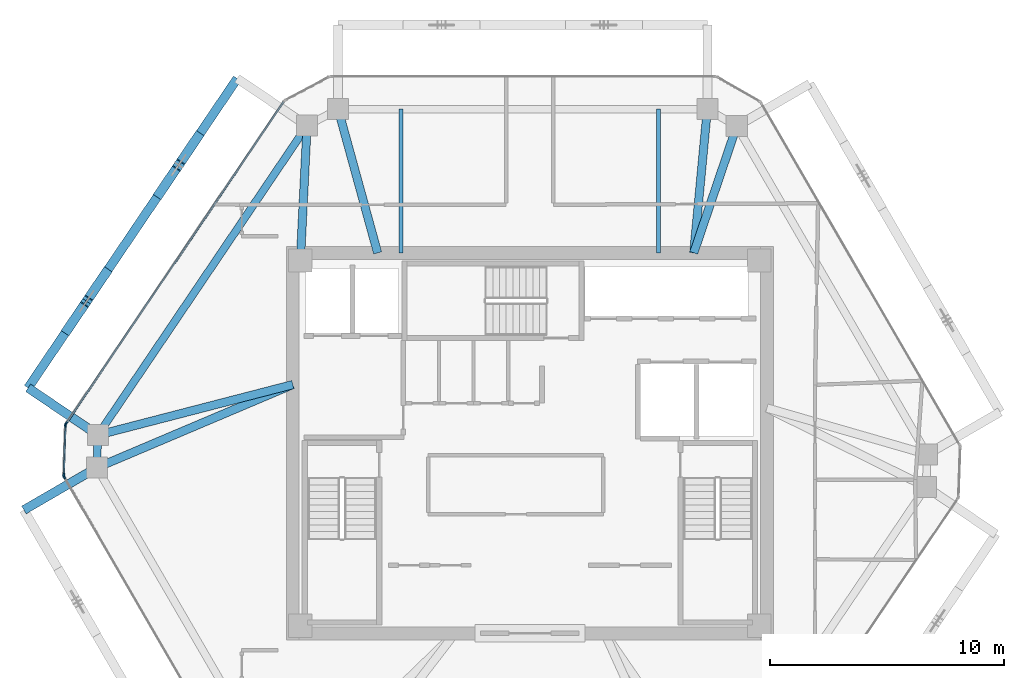
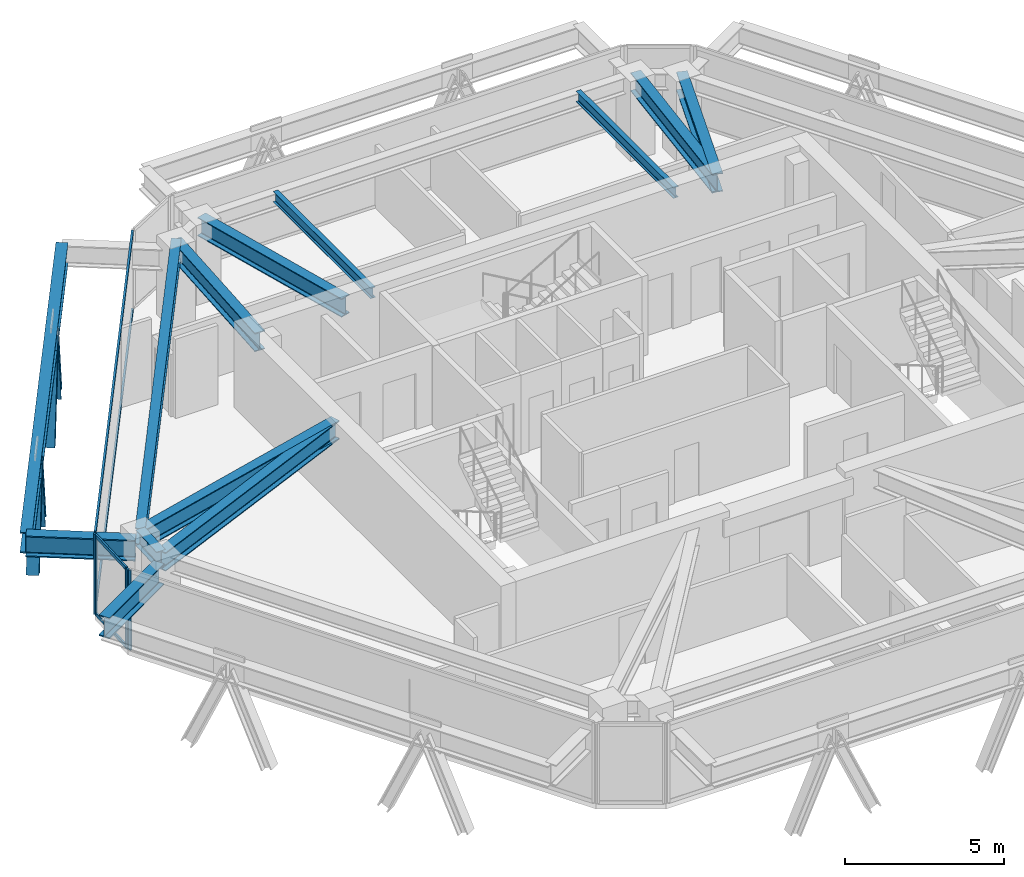
# One storey, part 4 of 12: 13 beams, 12 members, 3 elements without a shape of their own.
"""IFC4 building model written with IfcOpenShell, lengths in metres."""

from ifc_helpers import new_model, si_unit, direction, frame, origin, origin_2d, place, context, subcontext, project, spatial, rectangle, i_section, extrude, source, transform, mapped, material, layer, layer_set, material_profile, profile_set, type_object, type_shapes, element, aggregate, save


model = new_model("IFC4")

# Units and contexts
model_context = context("Model", 3, precision=1e-05, world=origin(), true_north=direction((0.0, 1.0)))
body_context = subcontext(model_context, "Body", "Model", "MODEL_VIEW")
ifc_project = project(units=[si_unit("LENGTHUNIT", "METRE"), si_unit("AREAUNIT", "SQUARE_METRE"), si_unit("VOLUMEUNIT", "CUBIC_METRE"), si_unit("PLANEANGLEUNIT", "RADIAN"), si_unit("MASSUNIT", "GRAM", prefix="KILO")], contexts=[model_context])

# Site, building, storey
site_placement = place(None, origin())
site = spatial("IfcSite", under=ifc_project, at=site_placement, CompositionType="ELEMENT")
building_placement = place(site_placement, origin())
building = spatial("IfcBuilding", under=site, at=building_placement, Name="Durnholm Broadcast Tower", CompositionType="ELEMENT")
storey_placement = place(building_placement, frame((0.0, 0.0, 221.60009765625)))
storey = spatial("IfcBuildingStorey", under=building, at=storey_placement, Name="L61", CompositionType="ELEMENT", Elevation=221.60009765625)

# Beams
ifc_material_1 = material(Name="Steel ASTM A992 Grade 50", Category="steel")
ifc_material_profile_1 = material_profile(ifc_material_1, i_section(OverallWidth=0.385009765625, OverallDepth=0.802978515625, WebThickness=0.023681640625, FlangeThickness=0.0419921875, FilletRadius=0.032958984375, at=origin_2d()), Name="W30X261")
ifc_profile_set_1 = profile_set([ifc_material_profile_1], Name="Steel ASTM A992 Grade 50")
beam_type_1 = type_object("IfcBeamType", Name="BM-EXO-TIE", PredefinedType="USERDEFINED", material=ifc_profile_set_1)
shared_shape_1 = source(origin(), body_context, "Body", "SweptSolid", [
    extrude(i_section(OverallWidth=0.385009765625, OverallDepth=0.802978515625, WebThickness=0.023681640625, FlangeThickness=0.0419921875, FilletRadius=0.032958984375, at=origin_2d()), origin(), (0.0, 0.0, 1.0), 3.4560546875),
])
for number, where, z_axis, x_axis, name in (
    (1, (-18.565673828125, 0.426513671875, 2.308349609375), (-0.828413564093, 0.56011692246, 0.0), (-0.56011692246, -0.828413564093, 0.0), "L61 exoskeleton stand-off tie bracket F5.2"),
    (2, (-18.618896484375, -1.1201171875, 2.308349609375), (-0.864876013532, -0.501985538852, 0.0), (0.501985538852, -0.864876013532, 0.0), "L61 exoskeleton stand-off tie bracket F6.1"),
):
    element("IfcBeam", number, at=place(storey_placement, frame(where, z_axis=z_axis, x_axis=x_axis)), inside=storey, type_object=beam_type_1, Name=name, ObjectType="GIRDER", PredefinedType="USERDEFINED", context=body_context, shape_type="MappedRepresentation", body=[
        mapped(shared_shape_1, transform((0.0, 0.0, 0.0), x_axis=(1.0, 0.0, 0.0), y_axis=(0.0, 1.0, 0.0), z_axis=(0.0, 0.0, 1.0), scale=1.0)),
    ])
ifc_material_profile_2 = material_profile(ifc_material_1, i_section(OverallWidth=0.3251953125, OverallDepth=0.6162109375, WebThickness=0.013916015625, FlangeThickness=0.021484375, FilletRadius=0.02783203125, at=origin_2d()), Name="W24X117")
ifc_profile_set_2 = profile_set([ifc_material_profile_2], Name="Steel ASTM A992 Grade 50")
beam_type_2 = type_object("IfcBeamType", Name="STL-SP-W24X117", PredefinedType="SPANDREL", material=ifc_profile_set_2)
shared_shape_2 = source(origin(), body_context, "Body", "SweptSolid", [
    extrude(i_section(OverallWidth=0.3251953125, OverallDepth=0.6162109375, WebThickness=0.013916015625, FlangeThickness=0.021484375, FilletRadius=0.02783203125, at=origin_2d()), origin(), (0.0, 0.0, 1.0), 1.39453125),
])
beam_1_placement = place(storey_placement, frame((-18.494384765625, -1.0478515625, 2.73681640625), z_axis=(0.034486393061, 0.999405167434, 0.0), x_axis=(-0.999405167434, 0.034486393061, 0.0)))
element("IfcBeam", 3, at=beam_1_placement, inside=storey, type_object=beam_type_2, Name="L61 perimeter spandrel girder 02", PredefinedType="SPANDREL", context=body_context, shape_type="MappedRepresentation", body=[
    mapped(shared_shape_2, transform((0.0, 0.0, 0.0), x_axis=(1.0, 0.0, 0.0), y_axis=(0.0, 1.0, 0.0), z_axis=(0.0, 0.0, 1.0), scale=1.0)),
])
shared_shape_3 = source(origin(), body_context, "Body", "SweptSolid", [
    extrude(i_section(OverallWidth=0.3251953125, OverallDepth=0.6162109375, WebThickness=0.013916015625, FlangeThickness=0.021484375, FilletRadius=0.02783203125, at=origin_2d()), origin(), (0.0, 0.0, 1.0), 15.947265625),
])
type_shapes(beam_type_2, [shared_shape_2, shared_shape_3])
beam_2_placement = place(storey_placement, frame((-18.4462890625, 0.345947265625, 2.73681640625), z_axis=(0.560062212489, 0.828450552623, 0.0), x_axis=(-0.828450552623, 0.560062212489, 0.0)))
element("IfcBeam", 4, at=beam_2_placement, inside=storey, type_object=beam_type_2, Name="L61 perimeter spandrel girder 03", PredefinedType="SPANDREL", context=body_context, shape_type="MappedRepresentation", body=[
    mapped(shared_shape_3, transform((0.0, 0.0, 0.0), x_axis=(1.0, 0.0, 0.0), y_axis=(0.0, 1.0, 0.0), z_axis=(0.0, 0.0, 1.0), scale=1.0)),
])
ifc_material_profile_3 = material_profile(ifc_material_1, i_section(OverallWidth=0.3564453125, OverallDepth=0.713623046875, WebThickness=0.01904296875, FlangeThickness=0.033935546875, FilletRadius=0.030517578125, at=origin_2d()), Name="W27X194")
ifc_profile_set_3 = profile_set([ifc_material_profile_3], Name="Steel ASTM A992 Grade 50")
beam_type_3 = type_object("IfcBeamType", Name="STL-GR-W27X194", PredefinedType="USERDEFINED", material=ifc_profile_set_3)
shared_shape_4 = source(origin(), body_context, "Body", "SweptSolid", [
    extrude(i_section(OverallWidth=0.3564453125, OverallDepth=0.713623046875, WebThickness=0.01904296875, FlangeThickness=0.033935546875, FilletRadius=0.030517578125, at=origin_2d()), origin(), (0.0, 0.0, 1.0), 5.764404296875),
])
beam_3_placement = place(storey_placement, frame((-9.800048828125, 7.800048828125, 2.68798828125), z_axis=(0.049468662109, 0.99877567625, 0.0), x_axis=(-0.99877567625, 0.049468662109, 0.0)))
element("IfcBeam", 5, at=beam_3_placement, inside=storey, type_object=beam_type_3, Name="L61 radial primary floor girder 04", ObjectType="GIRDER", PredefinedType="USERDEFINED", context=body_context, shape_type="MappedRepresentation", body=[
    mapped(shared_shape_4, transform((0.0, 0.0, 0.0), x_axis=(1.0, 0.0, 0.0), y_axis=(0.0, 1.0, 0.0), z_axis=(0.0, 0.0, 1.0), scale=1.0)),
])
shared_shape_5 = source(origin(), body_context, "Body", "SweptSolid", [
    extrude(i_section(OverallWidth=0.385009765625, OverallDepth=0.802978515625, WebThickness=0.023681640625, FlangeThickness=0.0419921875, FilletRadius=0.032958984375, at=origin_2d()), origin(), (0.0, 0.0, 1.0), 15.947021484375),
])
type_shapes(beam_type_1, [shared_shape_1, shared_shape_5])
beam_4_placement = place(storey_placement, frame((-12.497314453125, 15.573486328125, 2.308349609375), z_axis=(-0.560069315853, -0.828445750451, 0.0), x_axis=(0.828445750451, -0.560069315853, 0.0)))
element("IfcBeam", 6, at=beam_4_placement, inside=storey, type_object=beam_type_1, Name="L61 exoskeleton collector spandrel F5", PredefinedType="SPANDREL", context=body_context, shape_type="MappedRepresentation", body=[
    mapped(shared_shape_5, transform((0.0, 0.0, 0.0), x_axis=(1.0, 0.0, 0.0), y_axis=(0.0, 1.0, 0.0), z_axis=(0.0, 0.0, 1.0), scale=1.0)),
])
shared_shape_6 = source(origin(), body_context, "Body", "SweptSolid", [
    extrude(i_section(OverallWidth=0.3564453125, OverallDepth=0.713623046875, WebThickness=0.01904296875, FlangeThickness=0.033935546875, FilletRadius=0.030517578125, at=origin_2d()), origin(), (0.0, 0.0, 1.0), 9.09033203125),
])
beam_5_placement = place(storey_placement, frame((-10.125, 2.5, 2.68798828125), z_axis=(-0.920692350722, -0.390289117607, 0.0), x_axis=(0.390289117607, -0.920692350722, 0.0)))
element("IfcBeam", 7, at=beam_5_placement, inside=storey, type_object=beam_type_3, Name="L61 radial primary floor girder 02", ObjectType="GIRDER", PredefinedType="USERDEFINED", context=body_context, shape_type="MappedRepresentation", body=[
    mapped(shared_shape_6, transform((0.0, 0.0, 0.0), x_axis=(1.0, 0.0, 0.0), y_axis=(0.0, 1.0, 0.0), z_axis=(0.0, 0.0, 1.0), scale=1.0)),
])
shared_shape_7 = source(origin(), body_context, "Body", "SweptSolid", [
    extrude(i_section(OverallWidth=0.3564453125, OverallDepth=0.713623046875, WebThickness=0.01904296875, FlangeThickness=0.033935546875, FilletRadius=0.030517578125, at=origin_2d()), origin(), (0.0, 0.0, 1.0), 8.595458984375),
])
beam_6_placement = place(storey_placement, frame((-10.125, 2.5, 2.68798828125), z_axis=(-0.968090619149, -0.250600385306, 0.0), x_axis=(0.250600385306, -0.968090619149, 0.0)))
element("IfcBeam", 8, at=beam_6_placement, inside=storey, type_object=beam_type_3, Name="L61 radial primary floor girder 03", ObjectType="GIRDER", PredefinedType="USERDEFINED", context=body_context, shape_type="MappedRepresentation", body=[
    mapped(shared_shape_7, transform((0.0, 0.0, 0.0), x_axis=(1.0, 0.0, 0.0), y_axis=(0.0, 1.0, 0.0), z_axis=(0.0, 0.0, 1.0), scale=1.0)),
])
shared_shape_8 = source(origin(), body_context, "Body", "SweptSolid", [
    extrude(i_section(OverallWidth=0.3564453125, OverallDepth=0.713623046875, WebThickness=0.01904296875, FlangeThickness=0.033935546875, FilletRadius=0.030517578125, at=origin_2d()), origin(), (0.0, 0.0, 1.0), 6.36474609375),
])
beam_7_placement = place(storey_placement, frame((-6.5, 8.125, 2.68798828125), z_axis=(-0.265168072834, 0.96420220553, 0.0), x_axis=(-0.96420220553, -0.265168072834, 0.0)))
element("IfcBeam", 9, at=beam_7_placement, inside=storey, type_object=beam_type_3, Name="L61 radial primary floor girder 05", ObjectType="GIRDER", PredefinedType="USERDEFINED", context=body_context, shape_type="MappedRepresentation", body=[
    mapped(shared_shape_8, transform((0.0, 0.0, 0.0), x_axis=(1.0, 0.0, 0.0), y_axis=(0.0, 1.0, 0.0), z_axis=(0.0, 0.0, 1.0), scale=1.0)),
])
shared_shape_9 = source(origin(), body_context, "Body", "SweptSolid", [
    extrude(i_section(OverallWidth=0.3564453125, OverallDepth=0.713623046875, WebThickness=0.01904296875, FlangeThickness=0.033935546875, FilletRadius=0.030517578125, at=origin_2d()), origin(), (0.0, 0.0, 1.0), 6.164306640625),
])
beam_8_placement = place(storey_placement, frame((7.0, 8.125, 2.68798828125), z_axis=(0.094024068139, 0.995569924521, 0.0), x_axis=(-0.995569924521, 0.094024068139, 0.0)))
element("IfcBeam", 10, at=beam_8_placement, inside=storey, type_object=beam_type_3, Name="L61 radial primary floor girder 06", ObjectType="GIRDER", PredefinedType="USERDEFINED", context=body_context, shape_type="MappedRepresentation", body=[
    mapped(shared_shape_9, transform((0.0, 0.0, 0.0), x_axis=(1.0, 0.0, 0.0), y_axis=(0.0, 1.0, 0.0), z_axis=(0.0, 0.0, 1.0), scale=1.0)),
])
shared_shape_10 = source(origin(), body_context, "Body", "SweptSolid", [
    extrude(i_section(OverallWidth=0.3564453125, OverallDepth=0.713623046875, WebThickness=0.01904296875, FlangeThickness=0.033935546875, FilletRadius=0.030517578125, at=origin_2d()), origin(), (0.0, 0.0, 1.0), 5.716064453125),
])
type_shapes(beam_type_3, [shared_shape_4, shared_shape_6, shared_shape_7, shared_shape_8, shared_shape_9, shared_shape_10])
beam_9_placement = place(storey_placement, frame((7.0, 8.125, 2.68798828125), z_axis=(0.321450919754, 0.946926241156, 0.0), x_axis=(-0.946926241156, 0.321450919754, 0.0)))
element("IfcBeam", 11, at=beam_9_placement, inside=storey, type_object=beam_type_3, Name="L61 radial primary floor girder 07", ObjectType="GIRDER", PredefinedType="USERDEFINED", context=body_context, shape_type="MappedRepresentation", body=[
    mapped(shared_shape_10, transform((0.0, 0.0, 0.0), x_axis=(1.0, 0.0, 0.0), y_axis=(0.0, 1.0, 0.0), z_axis=(0.0, 0.0, 1.0), scale=1.0)),
])
ifc_material_profile_4 = material_profile(ifc_material_1, i_section(OverallWidth=0.177734375, OverallDepth=0.40673828125, WebThickness=0.0078125, FlangeThickness=0.0126953125, FilletRadius=0.01904296875, at=origin_2d()), Name="W16X40")
ifc_profile_set_4 = profile_set([ifc_material_profile_4], Name="Steel ASTM A992 Grade 50")
beam_type_4 = type_object("IfcBeamType", Name="STL-BJ-W16X40", PredefinedType="JOIST", material=ifc_profile_set_4)
shared_shape_11 = source(origin(), body_context, "Body", "SweptSolid", [
    extrude(i_section(OverallWidth=0.177734375, OverallDepth=0.40673828125, WebThickness=0.0078125, FlangeThickness=0.0126953125, FilletRadius=0.01904296875, at=origin_2d()), origin(), (0.0, 0.0, 1.0), 6.136962890625),
])
type_shapes(beam_type_4, [shared_shape_11])
for number, where, z_axis, x_axis, name in (
    (12, (-5.5, 8.125, 2.841552734375), (0.0, 1.0, 0.0), (-1.0, 0.0, 0.0), "L61 secondary floor joist 3.2"),
    (13, (5.5, 8.125, 2.841552734375), (0.0, 1.0, 0.0), (-1.0, 0.0, 0.0), "L61 secondary floor joist 4.2"),
):
    element("IfcBeam", number, at=place(storey_placement, frame(where, z_axis=z_axis, x_axis=x_axis)), inside=storey, type_object=beam_type_4, Name=name, PredefinedType="JOIST", context=body_context, shape_type="MappedRepresentation", body=[
        mapped(shared_shape_11, transform((0.0, 0.0, 0.0), x_axis=(1.0, 0.0, 0.0), y_axis=(0.0, 1.0, 0.0), z_axis=(0.0, 0.0, 1.0), scale=1.0)),
    ])

# Members
ifc_material_2 = material(Name="Steel ASTM A913 Grade 65", Category="steel")
ifc_material_profile_5 = material_profile(ifc_material_2, i_section(OverallWidth=0.40625, OverallDepth=0.416015625, WebThickness=0.02978515625, FlangeThickness=0.048095703125, FilletRadius=0.030517578125, at=origin_2d()), Name="W14X257")
ifc_profile_set_5 = profile_set([ifc_material_profile_5], Name="Steel ASTM A913 Grade 65")
member_type_1 = type_object("IfcMemberType", Name="STL-DG-W14X257", PredefinedType="BRACE", material=ifc_profile_set_5)
shared_shape_12 = source(origin(), body_context, "Body", "SweptSolid", [
    extrude(i_section(OverallWidth=0.40625, OverallDepth=0.416015625, WebThickness=0.02978515625, FlangeThickness=0.048095703125, FilletRadius=0.030517578125, at=origin_2d()), origin(), (0.0, 0.0, 1.0), 3.607666015625),
])
type_shapes(member_type_1, [shared_shape_12])
for number, where, z_axis, x_axis, name in (
    (14, (-14.181396484375, 13.08251953125, -0.991455078125), (-0.226363144823, -0.334909178992, 0.914655983686), (0.828505003222, -0.559981660089, 0.0), "L61 stand-off diagrid brace F5.D1.1"),
    (15, (-15.814697265625, 10.666259765625, -0.991455078125), (0.226368274775, 0.334849095242, 0.914676712063), (-0.828452496411, 0.560059337206, 0.0), "L61 stand-off diagrid brace F5.D1.2"),
    (16, (-18.111328125, 7.269287109375, -0.991455078125), (-0.226368274775, -0.334849095242, 0.914676712063), (0.828452496411, -0.560059337206, 0.0), "L61 stand-off diagrid brace F5.D2.1"),
    (17, (-19.74462890625, 4.853271484375, -0.991455078125), (0.226368274775, 0.334849095242, 0.914676712063), (-0.828452496411, 0.560059337206, 0.0), "L61 stand-off diagrid brace F5.D2.2"),
):
    element("IfcMember", number, at=place(storey_placement, frame(where, z_axis=z_axis, x_axis=x_axis)), inside=storey, type_object=member_type_1, Name=name, PredefinedType="BRACE", context=body_context, shape_type="MappedRepresentation", body=[
        mapped(shared_shape_12, transform((0.0, 0.0, 0.0), x_axis=(1.0, 0.0, 0.0), y_axis=(0.0, 1.0, 0.0), z_axis=(0.0, 0.0, 1.0), scale=1.0)),
    ])

# Curtain wall, members
ifc_material_3 = material(Name="Aluminium and Solar Control IGU", Category="aluminium")
ifc_layer_1 = layer(ifc_material_3, 0.1650390625)
ifc_layer_set_1 = layer_set([ifc_layer_1], Name="Aluminium and Solar Control IGU")
curtain_wall_type_1 = type_object("IfcCurtainWallType", Name="CW-SYS-5", PredefinedType="NOTDEFINED", material=ifc_layer_set_1)
curtain_wall_1_placement = place(storey_placement, origin())
curtain_wall_1 = element("IfcCurtainWall", 18, at=curtain_wall_1_placement, inside=storey, type_object=curtain_wall_type_1, Name="L61 curtain wall CW-CORNER CW-L61-CRN-01", PredefinedType="NOTDEFINED")
ifc_material_4 = material(Name="Aluminium 6063-T6", Category="aluminium")
ifc_material_profile_6 = material_profile(ifc_material_4, rectangle(XDim=0.06494140625, YDim=0.1298828125, at=origin_2d()), Name="CWT65X130")
ifc_profile_set_6 = profile_set([ifc_material_profile_6], Name="Aluminium 6063-T6")
member_type_2 = type_object("IfcMemberType", Name="CW-SYS-5-TRN", PredefinedType="USERDEFINED", material=ifc_profile_set_6)
shared_shape_13 = source(origin(), body_context, "Body", "SweptSolid", [
    extrude(rectangle(XDim=0.06494140625, YDim=0.1298828125, at=origin_2d()), origin(), (0.0, 0.0, 1.0), 2.070068359375),
])
type_shapes(member_type_2, [shared_shape_13])
member_1_placement = place(storey_placement, frame((-19.905029296875, -1.33740234375, 0.032470703125), z_axis=(0.034320104965, 0.999410891673, 0.0), x_axis=(-0.999410891673, 0.034320104965, 0.0)))
member_1 = element("IfcMember", 19, at=member_1_placement, type_object=member_type_2, Name="CW-CORNER transom 1.1", ObjectType="TRANSOM", PredefinedType="USERDEFINED", context=body_context, shape_type="MappedRepresentation", body=[
    mapped(shared_shape_13, transform((0.0, 0.0, 0.0), x_axis=(1.0, 0.0, 0.0), y_axis=(0.0, 1.0, 0.0), z_axis=(0.0, 0.0, 1.0), scale=1.0)),
])
member_2_placement = place(storey_placement, frame((-19.905029296875, -1.33740234375, 3.02734375), z_axis=(0.034320104965, 0.999410891673, 0.0), x_axis=(-0.999410891673, 0.034320104965, 0.0)))
member_2 = element("IfcMember", 20, at=member_2_placement, type_object=member_type_2, Name="CW-CORNER transom 1.2", ObjectType="TRANSOM", PredefinedType="USERDEFINED", context=body_context, shape_type="MappedRepresentation", body=[
    mapped(shared_shape_13, transform((0.0, 0.0, 0.0), x_axis=(1.0, 0.0, 0.0), y_axis=(0.0, 1.0, 0.0), z_axis=(0.0, 0.0, 1.0), scale=1.0)),
])
ifc_material_profile_7 = material_profile(ifc_material_4, rectangle(XDim=0.06494140625, YDim=0.1650390625, at=origin_2d()), Name="CWM65X165")
ifc_profile_set_7 = profile_set([ifc_material_profile_7], Name="Aluminium 6063-T6")
member_type_3 = type_object("IfcMemberType", Name="CW-SYS-5-MUL", PredefinedType="MULLION", material=ifc_profile_set_7)
shared_shape_14 = source(origin(), body_context, "Body", "SweptSolid", [
    extrude(rectangle(XDim=0.06494140625, YDim=0.1650390625, at=origin_2d()), origin(), (0.0, 0.0, 1.0), 3.059814453125),
])
type_shapes(member_type_3, [shared_shape_14])
member_3_placement = place(storey_placement, frame((-19.90625, -1.369873046875, 0.0), z_axis=(0.0, 0.0, 1.0), x_axis=(-0.999410955514, 0.034318245849, 0.0)))
member_3 = element("IfcMember", 21, at=member_3_placement, type_object=member_type_3, Name="CW-CORNER mullion 1", PredefinedType="MULLION", context=body_context, shape_type="MappedRepresentation", body=[
    mapped(shared_shape_14, transform((0.0, 0.0, 0.0), x_axis=(1.0, 0.0, 0.0), y_axis=(0.0, 1.0, 0.0), z_axis=(0.0, 0.0, 1.0), scale=1.0)),
])
member_4_placement = place(storey_placement, frame((-19.8330078125, 0.763916015625, 0.0), z_axis=(0.0, 0.0, 1.0), x_axis=(-0.999410955514, 0.034318245849, 0.0)))
member_4 = element("IfcMember", 22, at=member_4_placement, type_object=member_type_3, Name="CW-CORNER mullion 2", PredefinedType="MULLION", context=body_context, shape_type="MappedRepresentation", body=[
    mapped(shared_shape_14, transform((0.0, 0.0, 0.0), x_axis=(1.0, 0.0, 0.0), y_axis=(0.0, 1.0, 0.0), z_axis=(0.0, 0.0, 1.0), scale=1.0)),
])
aggregate(curtain_wall_1, [member_3, member_4, member_1, member_2])

# Curtain wall, member
ifc_layer_2 = layer(ifc_material_3, 0.18994140625)
ifc_layer_set_2 = layer_set([ifc_layer_2], Name="Aluminium and Solar Control IGU")
curtain_wall_type_2 = type_object("IfcCurtainWallType", Name="CW-SYS-4", PredefinedType="NOTDEFINED", material=ifc_layer_set_2)
curtain_wall_2_placement = place(storey_placement, origin())
curtain_wall_2 = element("IfcCurtainWall", 23, at=curtain_wall_2_placement, inside=storey, type_object=curtain_wall_type_2, Name="L61 curtain wall CW-Z34-VIS CW-L61-F02", PredefinedType="NOTDEFINED")
ifc_material_profile_8 = material_profile(ifc_material_4, rectangle(XDim=0.070068359375, YDim=0.18994140625, at=origin_2d()), Name="CWM70X190")
ifc_profile_set_8 = profile_set([ifc_material_profile_8], Name="Aluminium 6063-T6")
member_type_4 = type_object("IfcMemberType", Name="CW-SYS-4-MUL", PredefinedType="MULLION", material=ifc_profile_set_8)
shared_shape_15 = source(origin(), body_context, "Body", "SweptSolid", [
    extrude(rectangle(XDim=0.070068359375, YDim=0.18994140625, at=origin_2d()), origin(), (0.0, 0.0, 1.0), 3.059814453125),
])
type_shapes(member_type_4, [shared_shape_15])
member_5_placement = place(storey_placement, frame((-19.812255859375, 0.825439453125, 0.0), z_axis=(0.0, 0.0, 1.0), x_axis=(-0.828443431662, 0.560072745753, 0.0)))
member_5 = element("IfcMember", 24, at=member_5_placement, type_object=member_type_4, Name="CW-Z34-VIS mullion 1", PredefinedType="MULLION", context=body_context, shape_type="MappedRepresentation", body=[
    mapped(shared_shape_15, transform((0.0, 0.0, 0.0), x_axis=(1.0, 0.0, 0.0), y_axis=(0.0, 1.0, 0.0), z_axis=(0.0, 0.0, 1.0), scale=1.0)),
])

curtain_wall_3_placement = place(storey_placement, origin())
curtain_wall_3 = element("IfcCurtainWall", 25, at=curtain_wall_3_placement, inside=storey, type_object=curtain_wall_type_2, Name="L61 curtain wall CW-Z34-VIS CW-L61-F12", PredefinedType="NOTDEFINED")
member_6_placement = place(storey_placement, frame((-19.8896484375, -1.4326171875, 0.0), z_axis=(0.0, 0.0, 1.0), x_axis=(-0.864899883824, -0.50194441023, 0.0)))
member_6 = element("IfcMember", 26, at=member_6_placement, type_object=member_type_4, Name="CW-Z34-VIS mullion 2", PredefinedType="MULLION", context=body_context, shape_type="MappedRepresentation", body=[
    mapped(shared_shape_15, transform((0.0, 0.0, 0.0), x_axis=(1.0, 0.0, 0.0), y_axis=(0.0, 1.0, 0.0), z_axis=(0.0, 0.0, 1.0), scale=1.0)),
])
aggregate(curtain_wall_3, [member_6])

# Member
ifc_material_profile_9 = material_profile(ifc_material_4, rectangle(XDim=0.070068359375, YDim=0.14990234375, at=origin_2d()), Name="CWT70X150")
ifc_profile_set_9 = profile_set([ifc_material_profile_9], Name="Aluminium 6063-T6")
member_type_5 = type_object("IfcMemberType", Name="CW-SYS-4-TRN", PredefinedType="USERDEFINED", material=ifc_profile_set_9)
shared_shape_16 = source(origin(), body_context, "Body", "SweptSolid", [
    extrude(rectangle(XDim=0.070068359375, YDim=0.14990234375, at=origin_2d()), origin(), (0.0, 0.0, 1.0), 16.55859375),
])
type_shapes(member_type_5, [shared_shape_16])
member_7_placement = place(storey_placement, frame((-19.79248046875, 0.8544921875, 0.034912109375), z_axis=(0.560071338091, 0.828444383317, 0.0), x_axis=(-0.828444383317, 0.560071338091, 0.0)))
member_7 = element("IfcMember", 27, at=member_7_placement, type_object=member_type_5, Name="CW-Z34-VIS transom 1.1", ObjectType="TRANSOM", PredefinedType="USERDEFINED", context=body_context, shape_type="MappedRepresentation", body=[
    mapped(shared_shape_16, transform((0.0, 0.0, 0.0), x_axis=(1.0, 0.0, 0.0), y_axis=(0.0, 1.0, 0.0), z_axis=(0.0, 0.0, 1.0), scale=1.0)),
])

member_8_placement = place(storey_placement, frame((-19.79248046875, 0.8544921875, 3.02490234375), z_axis=(0.560071338091, 0.828444383317, 0.0), x_axis=(-0.828444383317, 0.560071338091, 0.0)))
member_8 = element("IfcMember", 28, at=member_8_placement, type_object=member_type_5, Name="CW-Z34-VIS transom 1.2", ObjectType="TRANSOM", PredefinedType="USERDEFINED", context=body_context, shape_type="MappedRepresentation", body=[
    mapped(shared_shape_16, transform((0.0, 0.0, 0.0), x_axis=(1.0, 0.0, 0.0), y_axis=(0.0, 1.0, 0.0), z_axis=(0.0, 0.0, 1.0), scale=1.0)),
])

aggregate(curtain_wall_2, [member_5, member_7, member_8])

save(model, "model.ifc")
